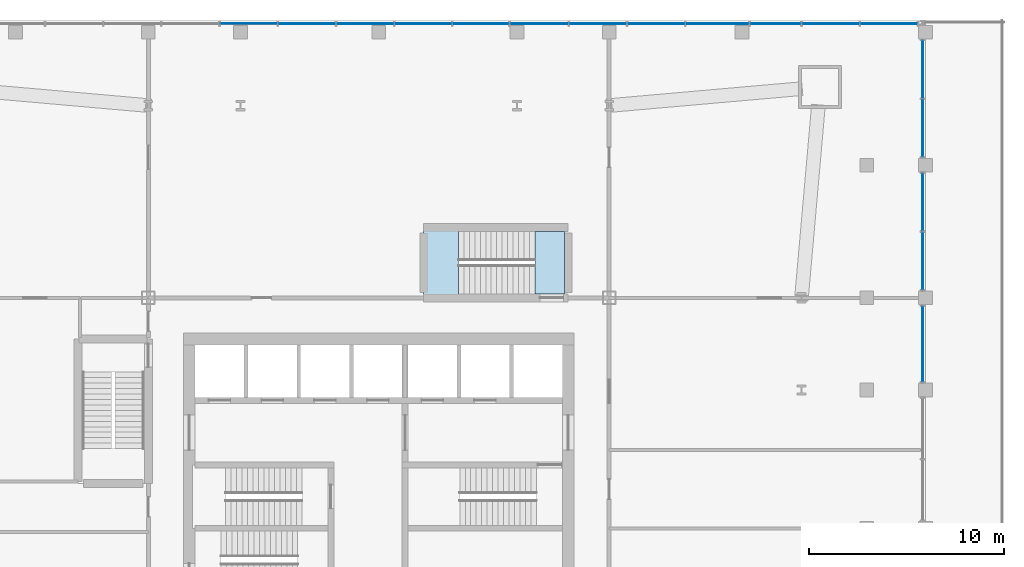
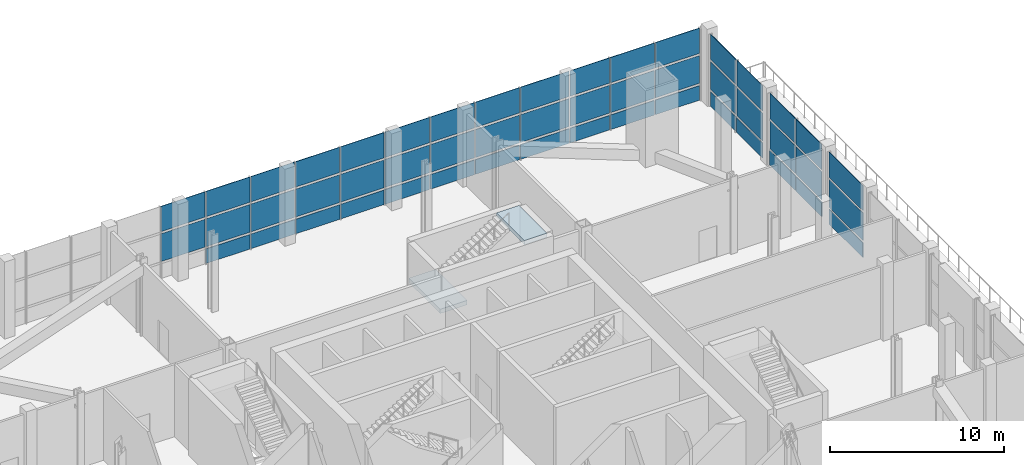
# One storey, part 12 of 17: 50 plates, 2 slabs, 5 elements without a shape of their own.
"""IFC4 building model written with IfcOpenShell, lengths in metres."""

from ifc_helpers import new_model, si_unit, direction, frame, origin, origin_2d, place, context, subcontext, project, spatial, polyline, rectangle, outline, extrude, material, layer, layer_set, type_object, element, aggregate, save


model = new_model("IFC4")

# Units and contexts
model_context = context("Model", 3, precision=1e-05, world=origin(), true_north=direction((0.0, 1.0)))
body_context = subcontext(model_context, "Body", "Model", "MODEL_VIEW")
ifc_project = project(units=[si_unit("LENGTHUNIT", "METRE"), si_unit("AREAUNIT", "SQUARE_METRE"), si_unit("VOLUMEUNIT", "CUBIC_METRE"), si_unit("PLANEANGLEUNIT", "RADIAN"), si_unit("MASSUNIT", "GRAM", prefix="KILO")], contexts=[model_context])

# Site, building, storey
site_placement = place(None, origin())
site = spatial("IfcSite", under=ifc_project, at=site_placement, CompositionType="ELEMENT")
building_placement = place(site_placement, origin())
building = spatial("IfcBuilding", under=site, at=building_placement, Name="Turquesa Mirador Hotel Tower", CompositionType="ELEMENT")
storey_placement = place(building_placement, frame((0.0, 0.0, 5.60009765625)))
storey = spatial("IfcBuildingStorey", under=building, at=storey_placement, Name="L01", CompositionType="ELEMENT", Elevation=5.60009765625)

# Curtain wall, plate
ifc_material_1 = material(Name="Aluminium extrusion", Category="aluminium")
curtain_wall_type = type_object("IfcCurtainWallType", Name="CW-2 PODIUM CURTAIN WALL", PredefinedType="USERDEFINED", material=ifc_material_1)
curtain_wall_1_placement = place(storey_placement, origin())
curtain_wall_1 = element("IfcCurtainWall", 1, at=curtain_wall_1_placement, inside=storey, type_object=curtain_wall_type, Name="CW-2 PODIUM CURTAIN WALL L01", ObjectType="CURTAIN WALL", PredefinedType="USERDEFINED")
ifc_material_2 = material(Name="Ceramic-printed spandrel glass on an insulated back pan", Category="glass")
ifc_layer_1 = layer(ifc_material_2, 0.050048828125)
ifc_layer_set_1 = layer_set([ifc_layer_1], Name="CW PANEL SPANDREL CERAMIC")
plate_type_1 = type_object("IfcPlateType", Name="CW PANEL SPANDREL CERAMIC", PredefinedType="CURTAIN_PANEL", material=ifc_layer_set_1)
plate_1_placement = place(storey_placement, frame((82.85009765625, 54.43994140625, 0.0), z_axis=(0.0, 0.0, 1.0), x_axis=(0.0, 1.0, 0.0)))
plate_1 = element("IfcPlate", 2, at=plate_1_placement, type_object=plate_type_1, Name="Panel", PredefinedType="CURTAIN_PANEL", context=body_context, shape_type="SweptSolid", body=[
    extrude(rectangle(XDim=3.885986328125, YDim=0.050048828125, at=origin_2d()), origin(), (0.0, 0.0, 1.0), 1.02490234375),
])

# Curtain wall, plates
curtain_wall_2_placement = place(storey_placement, origin())
curtain_wall_2 = element("IfcCurtainWall", 3, at=curtain_wall_2_placement, inside=storey, type_object=curtain_wall_type, Name="CW-2 PODIUM CURTAIN WALL L01", ObjectType="CURTAIN WALL", PredefinedType="USERDEFINED")
plate_2_placement = place(storey_placement, frame((82.85009765625, 58.692138671875, 0.0), z_axis=(0.0, 0.0, 1.0), x_axis=(0.0, 1.0, 0.0)))
plate_2 = element("IfcPlate", 4, at=plate_2_placement, type_object=plate_type_1, Name="Panel", PredefinedType="CURTAIN_PANEL", context=body_context, shape_type="SweptSolid", body=[
    extrude(rectangle(XDim=2.950439453125, YDim=0.050048828125, at=origin_2d()), origin(), (0.0, 0.0, 1.0), 1.02490234375),
])
plate_3_placement = place(storey_placement, frame((82.85009765625, 61.707763671875, 0.0), z_axis=(0.0, 0.0, 1.0), x_axis=(0.0, 1.0, 0.0)))
plate_3 = element("IfcPlate", 5, at=plate_3_placement, type_object=plate_type_1, Name="Panel", PredefinedType="CURTAIN_PANEL", context=body_context, shape_type="SweptSolid", body=[
    extrude(rectangle(XDim=2.950439453125, YDim=0.050048828125, at=origin_2d()), origin(), (0.0, 0.0, 1.0), 1.02490234375),
])

curtain_wall_3_placement = place(storey_placement, origin())
curtain_wall_3 = element("IfcCurtainWall", 6, at=curtain_wall_3_placement, inside=storey, type_object=curtain_wall_type, Name="CW-2 PODIUM CURTAIN WALL L01", ObjectType="CURTAIN WALL", PredefinedType="USERDEFINED")
plate_4_placement = place(storey_placement, frame((82.85009765625, 65.4921875, 0.0), z_axis=(0.0, 0.0, 1.0), x_axis=(0.0, 1.0, 0.0)))
plate_4 = element("IfcPlate", 7, at=plate_4_placement, type_object=plate_type_1, Name="Panel", PredefinedType="CURTAIN_PANEL", context=body_context, shape_type="SweptSolid", body=[
    extrude(rectangle(XDim=2.950439453125, YDim=0.050048828125, at=origin_2d()), origin(), (0.0, 0.0, 1.0), 1.02490234375),
])
plate_5_placement = place(storey_placement, frame((82.85009765625, 68.5078125, 0.0), z_axis=(0.0, 0.0, 1.0), x_axis=(0.0, 1.0, 0.0)))
plate_5 = element("IfcPlate", 8, at=plate_5_placement, type_object=plate_type_1, Name="Panel", PredefinedType="CURTAIN_PANEL", context=body_context, shape_type="SweptSolid", body=[
    extrude(rectangle(XDim=2.950439453125, YDim=0.050048828125, at=origin_2d()), origin(), (0.0, 0.0, 1.0), 1.02490234375),
])

curtain_wall_4_placement = place(storey_placement, origin())
curtain_wall_4 = element("IfcCurtainWall", 9, at=curtain_wall_4_placement, inside=storey, type_object=curtain_wall_type, Name="CW-2 PODIUM CURTAIN WALL L01", ObjectType="CURTAIN WALL", PredefinedType="USERDEFINED")
plate_6_placement = place(storey_placement, frame((81.125, 70.85009765625, 0.0), z_axis=(0.0, 0.0, 1.0), x_axis=(-1.0, 0.0, 0.0)))
plate_6 = element("IfcPlate", 10, at=plate_6_placement, type_object=plate_type_1, Name="Panel", PredefinedType="CURTAIN_PANEL", context=body_context, shape_type="SweptSolid", body=[
    extrude(rectangle(XDim=2.915771484375, YDim=0.050048828125, at=origin_2d()), origin(), (0.0, 0.0, 1.0), 1.02490234375),
])
plate_7_placement = place(storey_placement, frame((78.144287109375, 70.85009765625, 0.0), z_axis=(0.0, 0.0, 1.0), x_axis=(-1.0, 0.0, 0.0)))
plate_7 = element("IfcPlate", 11, at=plate_7_placement, type_object=plate_type_1, Name="Panel", PredefinedType="CURTAIN_PANEL", context=body_context, shape_type="SweptSolid", body=[
    extrude(rectangle(XDim=2.915771484375, YDim=0.050048828125, at=origin_2d()), origin(), (0.0, 0.0, 1.0), 1.02490234375),
])
plate_8_placement = place(storey_placement, frame((75.3193359375, 70.85009765625, 0.0), z_axis=(0.0, 0.0, 1.0), x_axis=(-1.0, 0.0, 0.0)))
plate_8 = element("IfcPlate", 12, at=plate_8_placement, type_object=plate_type_1, Name="Panel", PredefinedType="CURTAIN_PANEL", context=body_context, shape_type="SweptSolid", body=[
    extrude(rectangle(XDim=2.6044921875, YDim=0.050048828125, at=origin_2d()), origin(), (0.0, 0.0, 1.0), 1.02490234375),
])
plate_9_placement = place(storey_placement, frame((72.33837890625, 70.85009765625, 0.0), z_axis=(0.0, 0.0, 1.0), x_axis=(-1.0, 0.0, 0.0)))
plate_9 = element("IfcPlate", 13, at=plate_9_placement, type_object=plate_type_1, Name="Panel", PredefinedType="CURTAIN_PANEL", context=body_context, shape_type="SweptSolid", body=[
    extrude(rectangle(XDim=3.22705078125, YDim=0.050048828125, at=origin_2d()), origin(), (0.0, 0.0, 1.0), 1.02490234375),
])
plate_10_placement = place(storey_placement, frame((69.201904296875, 70.85009765625, 0.0), z_axis=(0.0, 0.0, 1.0), x_axis=(-1.0, 0.0, 0.0)))
plate_10 = element("IfcPlate", 14, at=plate_10_placement, type_object=plate_type_1, Name="Panel", PredefinedType="CURTAIN_PANEL", context=body_context, shape_type="SweptSolid", body=[
    extrude(rectangle(XDim=2.915771484375, YDim=0.050048828125, at=origin_2d()), origin(), (0.0, 0.0, 1.0), 1.02490234375),
])
plate_11_placement = place(storey_placement, frame((66.22119140625, 70.85009765625, 0.0), z_axis=(0.0, 0.0, 1.0), x_axis=(-1.0, 0.0, 0.0)))
plate_11 = element("IfcPlate", 15, at=plate_11_placement, type_object=plate_type_1, Name="Panel", PredefinedType="CURTAIN_PANEL", context=body_context, shape_type="SweptSolid", body=[
    extrude(rectangle(XDim=2.915771484375, YDim=0.050048828125, at=origin_2d()), origin(), (0.0, 0.0, 1.0), 1.02490234375),
])
plate_12_placement = place(storey_placement, frame((63.213134765625, 70.85009765625, 0.0), z_axis=(0.0, 0.0, 1.0), x_axis=(-1.0, 0.0, 0.0)))
plate_12 = element("IfcPlate", 16, at=plate_12_placement, type_object=plate_type_1, Name="Panel", PredefinedType="CURTAIN_PANEL", context=body_context, shape_type="SweptSolid", body=[
    extrude(rectangle(XDim=2.970458984375, YDim=0.050048828125, at=origin_2d()), origin(), (0.0, 0.0, 1.0), 1.02490234375),
])
plate_13_placement = place(storey_placement, frame((60.232421875, 70.85009765625, 0.0), z_axis=(0.0, 0.0, 1.0), x_axis=(-1.0, 0.0, 0.0)))
plate_13 = element("IfcPlate", 17, at=plate_13_placement, type_object=plate_type_1, Name="Panel", PredefinedType="CURTAIN_PANEL", context=body_context, shape_type="SweptSolid", body=[
    extrude(rectangle(XDim=2.861083984375, YDim=0.050048828125, at=origin_2d()), origin(), (0.0, 0.0, 1.0), 1.02490234375),
])
plate_14_placement = place(storey_placement, frame((57.27880859375, 70.85009765625, 0.0), z_axis=(0.0, 0.0, 1.0), x_axis=(-1.0, 0.0, 0.0)))
plate_14 = element("IfcPlate", 18, at=plate_14_placement, type_object=plate_type_1, Name="Panel", PredefinedType="CURTAIN_PANEL", context=body_context, shape_type="SweptSolid", body=[
    extrude(rectangle(XDim=2.915771484375, YDim=0.050048828125, at=origin_2d()), origin(), (0.0, 0.0, 1.0), 1.02490234375),
])
plate_15_placement = place(storey_placement, frame((54.298095703125, 70.85009765625, 0.0), z_axis=(0.0, 0.0, 1.0), x_axis=(-1.0, 0.0, 0.0)))
plate_15 = element("IfcPlate", 19, at=plate_15_placement, type_object=plate_type_1, Name="Panel", PredefinedType="CURTAIN_PANEL", context=body_context, shape_type="SweptSolid", body=[
    extrude(rectangle(XDim=2.915771484375, YDim=0.050048828125, at=origin_2d()), origin(), (0.0, 0.0, 1.0), 1.02490234375),
])
plate_16_placement = place(storey_placement, frame((51.3173828125, 70.85009765625, 0.0), z_axis=(0.0, 0.0, 1.0), x_axis=(-1.0, 0.0, 0.0)))
plate_16 = element("IfcPlate", 20, at=plate_16_placement, type_object=plate_type_1, Name="Panel", PredefinedType="CURTAIN_PANEL", context=body_context, shape_type="SweptSolid", body=[
    extrude(rectangle(XDim=2.915771484375, YDim=0.050048828125, at=origin_2d()), origin(), (0.0, 0.0, 1.0), 1.02490234375),
])

# Plate
ifc_material_3 = material(Name="Ceramic-fritted laminated glass", Category="glass")
ifc_layer_2 = layer(ifc_material_3, 0.031982421875)
ifc_layer_set_2 = layer_set([ifc_layer_2], Name="CW PANEL VISION FRITTED")
plate_type_2 = type_object("IfcPlateType", Name="CW PANEL VISION FRITTED", PredefinedType="CURTAIN_PANEL", material=ifc_layer_set_2)
plate_17_placement = place(storey_placement, frame((82.85009765625, 54.43994140625, 1.1748046875), z_axis=(0.0, 0.0, 1.0), x_axis=(0.0, 1.0, 0.0)))
plate_17 = element("IfcPlate", 21, at=plate_17_placement, type_object=plate_type_2, Name="Panel", PredefinedType="CURTAIN_PANEL", context=body_context, shape_type="SweptSolid", body=[
    extrude(rectangle(XDim=3.885986328125, YDim=0.031982421875, at=origin_2d()), origin(), (0.0, 0.0, 1.0), 1.949951171875),
])

plate_18_placement = place(storey_placement, frame((82.85009765625, 54.43994140625, 3.27490234375), z_axis=(0.0, 0.0, 1.0), x_axis=(0.0, 1.0, 0.0)))
plate_18 = element("IfcPlate", 22, at=plate_18_placement, type_object=plate_type_2, Name="Panel", PredefinedType="CURTAIN_PANEL", context=body_context, shape_type="SweptSolid", body=[
    extrude(rectangle(XDim=3.885986328125, YDim=0.031982421875, at=origin_2d()), origin(), (0.0, 0.0, 1.0), 1.77490234375),
])

aggregate(curtain_wall_1, [plate_1, plate_17, plate_18])

plate_19_placement = place(storey_placement, frame((82.85009765625, 58.692138671875, 1.1748046875), z_axis=(0.0, 0.0, 1.0), x_axis=(0.0, 1.0, 0.0)))
plate_19 = element("IfcPlate", 23, at=plate_19_placement, type_object=plate_type_2, Name="Panel", PredefinedType="CURTAIN_PANEL", context=body_context, shape_type="SweptSolid", body=[
    extrude(rectangle(XDim=2.950439453125, YDim=0.031982421875, at=origin_2d()), origin(), (0.0, 0.0, 1.0), 1.949951171875),
])

plate_20_placement = place(storey_placement, frame((82.85009765625, 58.692138671875, 3.27490234375), z_axis=(0.0, 0.0, 1.0), x_axis=(0.0, 1.0, 0.0)))
plate_20 = element("IfcPlate", 24, at=plate_20_placement, type_object=plate_type_2, Name="Panel", PredefinedType="CURTAIN_PANEL", context=body_context, shape_type="SweptSolid", body=[
    extrude(rectangle(XDim=2.950439453125, YDim=0.031982421875, at=origin_2d()), origin(), (0.0, 0.0, 1.0), 1.77490234375),
])

plate_21_placement = place(storey_placement, frame((82.85009765625, 61.707763671875, 1.1748046875), z_axis=(0.0, 0.0, 1.0), x_axis=(0.0, 1.0, 0.0)))
plate_21 = element("IfcPlate", 25, at=plate_21_placement, type_object=plate_type_2, Name="Panel", PredefinedType="CURTAIN_PANEL", context=body_context, shape_type="SweptSolid", body=[
    extrude(rectangle(XDim=2.950439453125, YDim=0.031982421875, at=origin_2d()), origin(), (0.0, 0.0, 1.0), 1.949951171875),
])

plate_22_placement = place(storey_placement, frame((82.85009765625, 61.707763671875, 3.27490234375), z_axis=(0.0, 0.0, 1.0), x_axis=(0.0, 1.0, 0.0)))
plate_22 = element("IfcPlate", 26, at=plate_22_placement, type_object=plate_type_2, Name="Panel", PredefinedType="CURTAIN_PANEL", context=body_context, shape_type="SweptSolid", body=[
    extrude(rectangle(XDim=2.950439453125, YDim=0.031982421875, at=origin_2d()), origin(), (0.0, 0.0, 1.0), 1.77490234375),
])

aggregate(curtain_wall_2, [plate_2, plate_19, plate_20, plate_3, plate_21, plate_22])

plate_23_placement = place(storey_placement, frame((82.85009765625, 65.4921875, 1.1748046875), z_axis=(0.0, 0.0, 1.0), x_axis=(0.0, 1.0, 0.0)))
plate_23 = element("IfcPlate", 27, at=plate_23_placement, type_object=plate_type_2, Name="Panel", PredefinedType="CURTAIN_PANEL", context=body_context, shape_type="SweptSolid", body=[
    extrude(rectangle(XDim=2.950439453125, YDim=0.031982421875, at=origin_2d()), origin(), (0.0, 0.0, 1.0), 1.949951171875),
])

plate_24_placement = place(storey_placement, frame((82.85009765625, 65.4921875, 3.27490234375), z_axis=(0.0, 0.0, 1.0), x_axis=(0.0, 1.0, 0.0)))
plate_24 = element("IfcPlate", 28, at=plate_24_placement, type_object=plate_type_2, Name="Panel", PredefinedType="CURTAIN_PANEL", context=body_context, shape_type="SweptSolid", body=[
    extrude(rectangle(XDim=2.950439453125, YDim=0.031982421875, at=origin_2d()), origin(), (0.0, 0.0, 1.0), 1.77490234375),
])

plate_25_placement = place(storey_placement, frame((82.85009765625, 68.5078125, 1.1748046875), z_axis=(0.0, 0.0, 1.0), x_axis=(0.0, 1.0, 0.0)))
plate_25 = element("IfcPlate", 29, at=plate_25_placement, type_object=plate_type_2, Name="Panel", PredefinedType="CURTAIN_PANEL", context=body_context, shape_type="SweptSolid", body=[
    extrude(rectangle(XDim=2.950439453125, YDim=0.031982421875, at=origin_2d()), origin(), (0.0, 0.0, 1.0), 1.949951171875),
])

plate_26_placement = place(storey_placement, frame((82.85009765625, 68.5078125, 3.27490234375), z_axis=(0.0, 0.0, 1.0), x_axis=(0.0, 1.0, 0.0)))
plate_26 = element("IfcPlate", 30, at=plate_26_placement, type_object=plate_type_2, Name="Panel", PredefinedType="CURTAIN_PANEL", context=body_context, shape_type="SweptSolid", body=[
    extrude(rectangle(XDim=2.950439453125, YDim=0.031982421875, at=origin_2d()), origin(), (0.0, 0.0, 1.0), 1.77490234375),
])

aggregate(curtain_wall_3, [plate_4, plate_23, plate_24, plate_5, plate_25, plate_26])

plate_27_placement = place(storey_placement, frame((81.125, 70.85009765625, 1.1748046875), z_axis=(0.0, 0.0, 1.0), x_axis=(-1.0, 0.0, 0.0)))
plate_27 = element("IfcPlate", 31, at=plate_27_placement, type_object=plate_type_2, Name="Panel", PredefinedType="CURTAIN_PANEL", context=body_context, shape_type="SweptSolid", body=[
    extrude(rectangle(XDim=2.915771484375, YDim=0.031982421875, at=origin_2d()), origin(), (0.0, 0.0, 1.0), 1.949951171875),
])

plate_28_placement = place(storey_placement, frame((81.125, 70.85009765625, 3.27490234375), z_axis=(0.0, 0.0, 1.0), x_axis=(-1.0, 0.0, 0.0)))
plate_28 = element("IfcPlate", 32, at=plate_28_placement, type_object=plate_type_2, Name="Panel", PredefinedType="CURTAIN_PANEL", context=body_context, shape_type="SweptSolid", body=[
    extrude(rectangle(XDim=2.915771484375, YDim=0.031982421875, at=origin_2d()), origin(), (0.0, 0.0, 1.0), 1.77490234375),
])

plate_29_placement = place(storey_placement, frame((78.144287109375, 70.85009765625, 1.1748046875), z_axis=(0.0, 0.0, 1.0), x_axis=(-1.0, 0.0, 0.0)))
plate_29 = element("IfcPlate", 33, at=plate_29_placement, type_object=plate_type_2, Name="Panel", PredefinedType="CURTAIN_PANEL", context=body_context, shape_type="SweptSolid", body=[
    extrude(rectangle(XDim=2.915771484375, YDim=0.031982421875, at=origin_2d()), origin(), (0.0, 0.0, 1.0), 1.949951171875),
])

plate_30_placement = place(storey_placement, frame((78.144287109375, 70.85009765625, 3.27490234375), z_axis=(0.0, 0.0, 1.0), x_axis=(-1.0, 0.0, 0.0)))
plate_30 = element("IfcPlate", 34, at=plate_30_placement, type_object=plate_type_2, Name="Panel", PredefinedType="CURTAIN_PANEL", context=body_context, shape_type="SweptSolid", body=[
    extrude(rectangle(XDim=2.915771484375, YDim=0.031982421875, at=origin_2d()), origin(), (0.0, 0.0, 1.0), 1.77490234375),
])

plate_31_placement = place(storey_placement, frame((75.3193359375, 70.85009765625, 1.1748046875), z_axis=(0.0, 0.0, 1.0), x_axis=(-1.0, 0.0, 0.0)))
plate_31 = element("IfcPlate", 35, at=plate_31_placement, type_object=plate_type_2, Name="Panel", PredefinedType="CURTAIN_PANEL", context=body_context, shape_type="SweptSolid", body=[
    extrude(rectangle(XDim=2.6044921875, YDim=0.031982421875, at=origin_2d()), origin(), (0.0, 0.0, 1.0), 1.949951171875),
])

plate_32_placement = place(storey_placement, frame((75.3193359375, 70.85009765625, 3.27490234375), z_axis=(0.0, 0.0, 1.0), x_axis=(-1.0, 0.0, 0.0)))
plate_32 = element("IfcPlate", 36, at=plate_32_placement, type_object=plate_type_2, Name="Panel", PredefinedType="CURTAIN_PANEL", context=body_context, shape_type="SweptSolid", body=[
    extrude(rectangle(XDim=2.6044921875, YDim=0.031982421875, at=origin_2d()), origin(), (0.0, 0.0, 1.0), 1.77490234375),
])

plate_33_placement = place(storey_placement, frame((72.33837890625, 70.85009765625, 1.1748046875), z_axis=(0.0, 0.0, 1.0), x_axis=(-1.0, 0.0, 0.0)))
plate_33 = element("IfcPlate", 37, at=plate_33_placement, type_object=plate_type_2, Name="Panel", PredefinedType="CURTAIN_PANEL", context=body_context, shape_type="SweptSolid", body=[
    extrude(rectangle(XDim=3.22705078125, YDim=0.031982421875, at=origin_2d()), origin(), (0.0, 0.0, 1.0), 1.949951171875),
])

plate_34_placement = place(storey_placement, frame((72.33837890625, 70.85009765625, 3.27490234375), z_axis=(0.0, 0.0, 1.0), x_axis=(-1.0, 0.0, 0.0)))
plate_34 = element("IfcPlate", 38, at=plate_34_placement, type_object=plate_type_2, Name="Panel", PredefinedType="CURTAIN_PANEL", context=body_context, shape_type="SweptSolid", body=[
    extrude(rectangle(XDim=3.22705078125, YDim=0.031982421875, at=origin_2d()), origin(), (0.0, 0.0, 1.0), 1.77490234375),
])

plate_35_placement = place(storey_placement, frame((69.201904296875, 70.85009765625, 1.1748046875), z_axis=(0.0, 0.0, 1.0), x_axis=(-1.0, 0.0, 0.0)))
plate_35 = element("IfcPlate", 39, at=plate_35_placement, type_object=plate_type_2, Name="Panel", PredefinedType="CURTAIN_PANEL", context=body_context, shape_type="SweptSolid", body=[
    extrude(rectangle(XDim=2.915771484375, YDim=0.031982421875, at=origin_2d()), origin(), (0.0, 0.0, 1.0), 1.949951171875),
])

plate_36_placement = place(storey_placement, frame((69.201904296875, 70.85009765625, 3.27490234375), z_axis=(0.0, 0.0, 1.0), x_axis=(-1.0, 0.0, 0.0)))
plate_36 = element("IfcPlate", 40, at=plate_36_placement, type_object=plate_type_2, Name="Panel", PredefinedType="CURTAIN_PANEL", context=body_context, shape_type="SweptSolid", body=[
    extrude(rectangle(XDim=2.915771484375, YDim=0.031982421875, at=origin_2d()), origin(), (0.0, 0.0, 1.0), 1.77490234375),
])

plate_37_placement = place(storey_placement, frame((66.22119140625, 70.85009765625, 1.1748046875), z_axis=(0.0, 0.0, 1.0), x_axis=(-1.0, 0.0, 0.0)))
plate_37 = element("IfcPlate", 41, at=plate_37_placement, type_object=plate_type_2, Name="Panel", PredefinedType="CURTAIN_PANEL", context=body_context, shape_type="SweptSolid", body=[
    extrude(rectangle(XDim=2.915771484375, YDim=0.031982421875, at=origin_2d()), origin(), (0.0, 0.0, 1.0), 1.949951171875),
])

plate_38_placement = place(storey_placement, frame((66.22119140625, 70.85009765625, 3.27490234375), z_axis=(0.0, 0.0, 1.0), x_axis=(-1.0, 0.0, 0.0)))
plate_38 = element("IfcPlate", 42, at=plate_38_placement, type_object=plate_type_2, Name="Panel", PredefinedType="CURTAIN_PANEL", context=body_context, shape_type="SweptSolid", body=[
    extrude(rectangle(XDim=2.915771484375, YDim=0.031982421875, at=origin_2d()), origin(), (0.0, 0.0, 1.0), 1.77490234375),
])

plate_39_placement = place(storey_placement, frame((63.213134765625, 70.85009765625, 1.1748046875), z_axis=(0.0, 0.0, 1.0), x_axis=(-1.0, 0.0, 0.0)))
plate_39 = element("IfcPlate", 43, at=plate_39_placement, type_object=plate_type_2, Name="Panel", PredefinedType="CURTAIN_PANEL", context=body_context, shape_type="SweptSolid", body=[
    extrude(rectangle(XDim=2.970458984375, YDim=0.031982421875, at=origin_2d()), origin(), (0.0, 0.0, 1.0), 1.949951171875),
])

plate_40_placement = place(storey_placement, frame((63.213134765625, 70.85009765625, 3.27490234375), z_axis=(0.0, 0.0, 1.0), x_axis=(-1.0, 0.0, 0.0)))
plate_40 = element("IfcPlate", 44, at=plate_40_placement, type_object=plate_type_2, Name="Panel", PredefinedType="CURTAIN_PANEL", context=body_context, shape_type="SweptSolid", body=[
    extrude(rectangle(XDim=2.970458984375, YDim=0.031982421875, at=origin_2d()), origin(), (0.0, 0.0, 1.0), 1.77490234375),
])

plate_41_placement = place(storey_placement, frame((60.232421875, 70.85009765625, 1.1748046875), z_axis=(0.0, 0.0, 1.0), x_axis=(-1.0, 0.0, 0.0)))
plate_41 = element("IfcPlate", 45, at=plate_41_placement, type_object=plate_type_2, Name="Panel", PredefinedType="CURTAIN_PANEL", context=body_context, shape_type="SweptSolid", body=[
    extrude(rectangle(XDim=2.861083984375, YDim=0.031982421875, at=origin_2d()), origin(), (0.0, 0.0, 1.0), 1.949951171875),
])

plate_42_placement = place(storey_placement, frame((60.232421875, 70.85009765625, 3.27490234375), z_axis=(0.0, 0.0, 1.0), x_axis=(-1.0, 0.0, 0.0)))
plate_42 = element("IfcPlate", 46, at=plate_42_placement, type_object=plate_type_2, Name="Panel", PredefinedType="CURTAIN_PANEL", context=body_context, shape_type="SweptSolid", body=[
    extrude(rectangle(XDim=2.861083984375, YDim=0.031982421875, at=origin_2d()), origin(), (0.0, 0.0, 1.0), 1.77490234375),
])

plate_43_placement = place(storey_placement, frame((57.27880859375, 70.85009765625, 1.1748046875), z_axis=(0.0, 0.0, 1.0), x_axis=(-1.0, 0.0, 0.0)))
plate_43 = element("IfcPlate", 47, at=plate_43_placement, type_object=plate_type_2, Name="Panel", PredefinedType="CURTAIN_PANEL", context=body_context, shape_type="SweptSolid", body=[
    extrude(rectangle(XDim=2.915771484375, YDim=0.031982421875, at=origin_2d()), origin(), (0.0, 0.0, 1.0), 1.949951171875),
])

plate_44_placement = place(storey_placement, frame((57.27880859375, 70.85009765625, 3.27490234375), z_axis=(0.0, 0.0, 1.0), x_axis=(-1.0, 0.0, 0.0)))
plate_44 = element("IfcPlate", 48, at=plate_44_placement, type_object=plate_type_2, Name="Panel", PredefinedType="CURTAIN_PANEL", context=body_context, shape_type="SweptSolid", body=[
    extrude(rectangle(XDim=2.915771484375, YDim=0.031982421875, at=origin_2d()), origin(), (0.0, 0.0, 1.0), 1.77490234375),
])

plate_45_placement = place(storey_placement, frame((54.298095703125, 70.85009765625, 1.1748046875), z_axis=(0.0, 0.0, 1.0), x_axis=(-1.0, 0.0, 0.0)))
plate_45 = element("IfcPlate", 49, at=plate_45_placement, type_object=plate_type_2, Name="Panel", PredefinedType="CURTAIN_PANEL", context=body_context, shape_type="SweptSolid", body=[
    extrude(rectangle(XDim=2.915771484375, YDim=0.031982421875, at=origin_2d()), origin(), (0.0, 0.0, 1.0), 1.949951171875),
])

plate_46_placement = place(storey_placement, frame((54.298095703125, 70.85009765625, 3.27490234375), z_axis=(0.0, 0.0, 1.0), x_axis=(-1.0, 0.0, 0.0)))
plate_46 = element("IfcPlate", 50, at=plate_46_placement, type_object=plate_type_2, Name="Panel", PredefinedType="CURTAIN_PANEL", context=body_context, shape_type="SweptSolid", body=[
    extrude(rectangle(XDim=2.915771484375, YDim=0.031982421875, at=origin_2d()), origin(), (0.0, 0.0, 1.0), 1.77490234375),
])

plate_47_placement = place(storey_placement, frame((51.3173828125, 70.85009765625, 1.1748046875), z_axis=(0.0, 0.0, 1.0), x_axis=(-1.0, 0.0, 0.0)))
plate_47 = element("IfcPlate", 51, at=plate_47_placement, type_object=plate_type_2, Name="Panel", PredefinedType="CURTAIN_PANEL", context=body_context, shape_type="SweptSolid", body=[
    extrude(rectangle(XDim=2.915771484375, YDim=0.031982421875, at=origin_2d()), origin(), (0.0, 0.0, 1.0), 1.949951171875),
])

plate_48_placement = place(storey_placement, frame((51.3173828125, 70.85009765625, 3.27490234375), z_axis=(0.0, 0.0, 1.0), x_axis=(-1.0, 0.0, 0.0)))
plate_48 = element("IfcPlate", 52, at=plate_48_placement, type_object=plate_type_2, Name="Panel", PredefinedType="CURTAIN_PANEL", context=body_context, shape_type="SweptSolid", body=[
    extrude(rectangle(XDim=2.915771484375, YDim=0.031982421875, at=origin_2d()), origin(), (0.0, 0.0, 1.0), 1.77490234375),
])

plate_49_placement = place(storey_placement, frame((48.336669921875, 70.85009765625, 1.1748046875), z_axis=(0.0, 0.0, 1.0), x_axis=(-1.0, 0.0, 0.0)))
plate_49 = element("IfcPlate", 53, at=plate_49_placement, type_object=plate_type_2, Name="Panel", PredefinedType="CURTAIN_PANEL", context=body_context, shape_type="SweptSolid", body=[
    extrude(rectangle(XDim=2.915771484375, YDim=0.031982421875, at=origin_2d()), origin(), (0.0, 0.0, 1.0), 1.949951171875),
])

plate_50_placement = place(storey_placement, frame((48.336669921875, 70.85009765625, 3.27490234375), z_axis=(0.0, 0.0, 1.0), x_axis=(-1.0, 0.0, 0.0)))
plate_50 = element("IfcPlate", 54, at=plate_50_placement, type_object=plate_type_2, Name="Panel", PredefinedType="CURTAIN_PANEL", context=body_context, shape_type="SweptSolid", body=[
    extrude(rectangle(XDim=2.915771484375, YDim=0.031982421875, at=origin_2d()), origin(), (0.0, 0.0, 1.0), 1.77490234375),
])

aggregate(curtain_wall_4, [plate_6, plate_27, plate_28, plate_7, plate_29, plate_30, plate_8, plate_31, plate_32, plate_9, plate_33, plate_34, plate_10, plate_35, plate_36, plate_11, plate_37, plate_38, plate_12, plate_39, plate_40, plate_13, plate_41, plate_42, plate_14, plate_43, plate_44, plate_15, plate_45, plate_46, plate_16, plate_47, plate_48, plate_49, plate_50])

# Stair, slabs
ifc_material_4 = material(Name="Concrete C35/45", Category="concrete")
stair_type = type_object("IfcStairType", Name="ESCAPE STAIR PODIUM", PredefinedType="HALF_TURN_STAIR", material=ifc_material_4)
stair_placement = place(storey_placement, origin())
stair = element("IfcStair", 55, at=stair_placement, inside=storey, type_object=stair_type, Name="Stair PS1 L01 to L02", PredefinedType="HALF_TURN_STAIR")
ifc_material_5 = material(Name="Concrete C35/45", Category="concrete")
ifc_layer_3 = layer(ifc_material_5, 0.300048828125)
ifc_layer_set_3 = layer_set([ifc_layer_3], Name="STAIR LANDING 300")
slab_type = type_object("IfcSlabType", Name="STAIR LANDING 300", PredefinedType="LANDING", material=ifc_layer_set_3)
slab_1_placement = place(storey_placement, frame((0.0, 0.0, 2.39990234375)))
slab_1 = element("IfcSlab", 56, at=slab_1_placement, type_object=slab_type, Name="PS1 landing 1", PredefinedType="LANDING", context=body_context, shape_type="SweptSolid", body=[
    extrude(outline(polyline([(57.300048828125, 56.800048828125), (59.080078125, 56.800048828125), (59.080078125, 60.39990234375), (57.300048828125, 60.39990234375), (57.300048828125, 56.800048828125)])), origin(), (0.0, 0.0, 1.0), 0.300048828125),
])
slab_2_placement = place(storey_placement, frame((0.0, 0.0, 5.099853515625)))
slab_2 = element("IfcSlab", 57, at=slab_2_placement, type_object=slab_type, Name="PS1 landing 2", PredefinedType="LANDING", context=body_context, shape_type="SweptSolid", body=[
    extrude(outline(polyline([(63.0, 57.0), (64.5, 57.0), (64.5, 60.199951171875), (63.0, 60.199951171875), (63.0, 57.0)])), origin(), (0.0, 0.0, 1.0), 0.300048828125),
])
aggregate(stair, [slab_1, slab_2])

save(model, "model.ifc")
